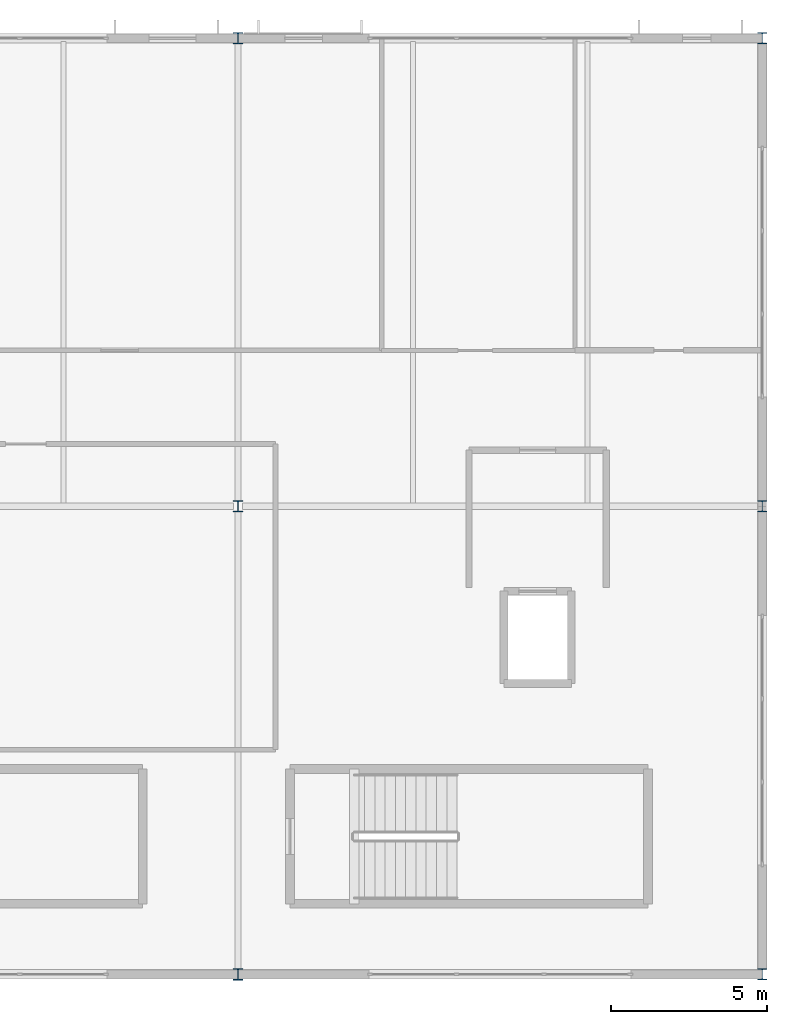
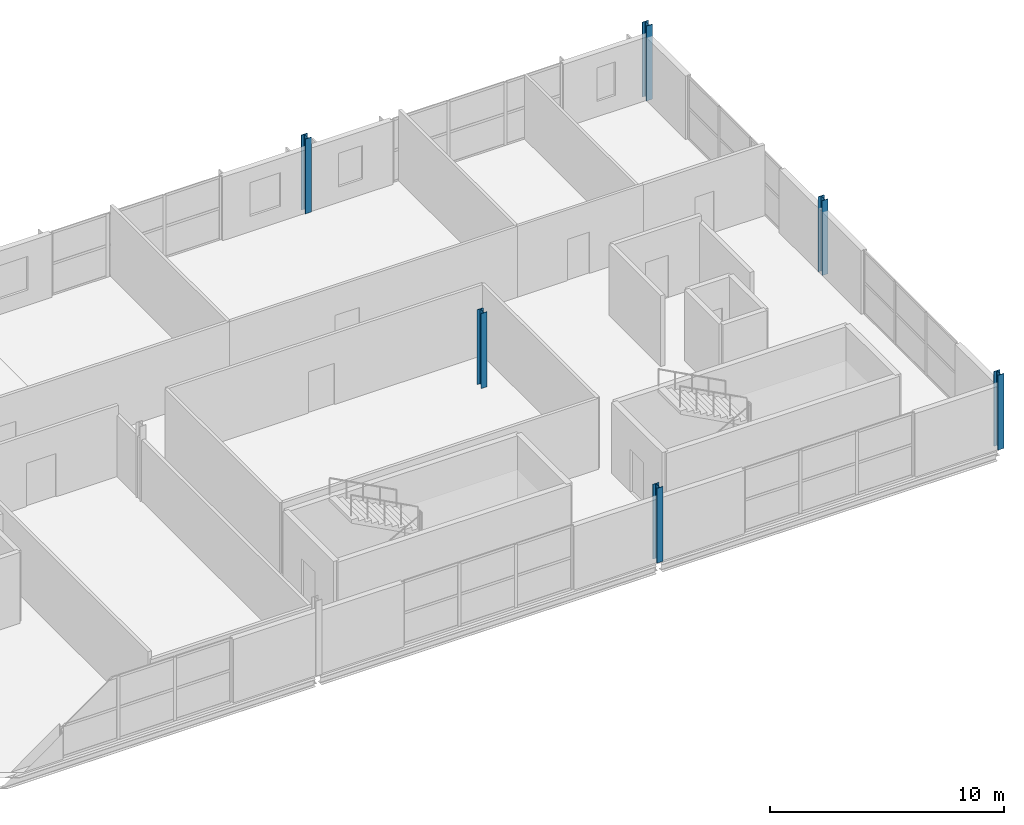
# One storey, part 2 of 18: 6 columns.
"""IFC4 building model written with IfcOpenShell, lengths in metres."""

from ifc_helpers import new_model, si_unit, direction, frame, origin, origin_2d, place, context, subcontext, project, spatial, i_section, extrude, material, material_profile, profile_set, type_object, element, save


model = new_model("IFC4")

# Units and contexts
model_context = context("Model", 3, precision=1e-05, world=origin(), true_north=direction((0.0, 1.0)))
body_context = subcontext(model_context, "Body", "Model", "MODEL_VIEW")
ifc_project = project(units=[si_unit("LENGTHUNIT", "METRE"), si_unit("AREAUNIT", "SQUARE_METRE"), si_unit("VOLUMEUNIT", "CUBIC_METRE"), si_unit("PLANEANGLEUNIT", "RADIAN"), si_unit("MASSUNIT", "GRAM", prefix="KILO")], contexts=[model_context])

# Site, building, storey
site_placement = place(None, origin())
site = spatial("IfcSite", under=ifc_project, at=site_placement, CompositionType="ELEMENT")
building_placement = place(site_placement, origin())
building = spatial("IfcBuilding", under=site, at=building_placement, Name="Kimbaza Rail Terminus", CompositionType="ELEMENT")
storey_placement = place(building_placement, frame((0.0, 0.0, 24.89990234375)))
storey = spatial("IfcBuildingStorey", under=building, at=storey_placement, Name="L05", CompositionType="ELEMENT", Elevation=24.89990234375)

# Columns
ifc_material = material(Name="Steel S355", Category="steel")
ifc_material_profile = material_profile(ifc_material, i_section(OverallWidth=0.300048828125, OverallDepth=0.360107421875, WebThickness=0.012451171875, FlangeThickness=0.0224609375, FilletRadius=0.027099609375, at=origin_2d()), Name="HEB 360")
ifc_profile_set = profile_set([ifc_material_profile], Name="Steel S355")
column_type = type_object("IfcColumnType", Name="STR-COL-HEB360", PredefinedType="COLUMN", material=ifc_profile_set)
for number, where, z_axis, x_axis, name in (
    (1, (122.39990234375, 103.0, 0.0), (0.0, 0.0, 1.0), (1.0, 0.0, 0.0), "Operations Column L05 (4,0)"),
    (2, (122.39990234375, 118.0, 0.0), (0.0, 0.0, 1.0), (1.0, 0.0, 0.0), "Operations Column L05 (4,1)"),
    (3, (122.39990234375, 133.0, 0.0), (0.0, 0.0, 1.0), (1.0, 0.0, 0.0), "Operations Column L05 (4,2)"),
    (4, (139.199951171875, 103.0, 0.0), (0.0, 0.0, 1.0), (1.0, 0.0, 0.0), "Operations Column L05 (5,0)"),
    (5, (139.199951171875, 118.0, 0.0), (0.0, 0.0, 1.0), (1.0, 0.0, 0.0), "Operations Column L05 (5,1)"),
    (6, (139.199951171875, 133.0, 0.0), (0.0, 0.0, 1.0), (1.0, 0.0, 0.0), "Operations Column L05 (5,2)"),
):
    element("IfcColumn", number, at=place(storey_placement, frame(where, z_axis=z_axis, x_axis=x_axis)), inside=storey, type_object=column_type, Name=name, PredefinedType="COLUMN", context=body_context, shape_type="SweptSolid", body=[
        extrude(i_section(OverallWidth=0.300048828125, OverallDepth=0.360107421875, WebThickness=0.012451171875, FlangeThickness=0.0224609375, FilletRadius=0.027099609375, at=origin_2d()), origin(), (0.0, 0.0, 1.0), 3.900146484375),
    ])

save(model, "model.ifc")
